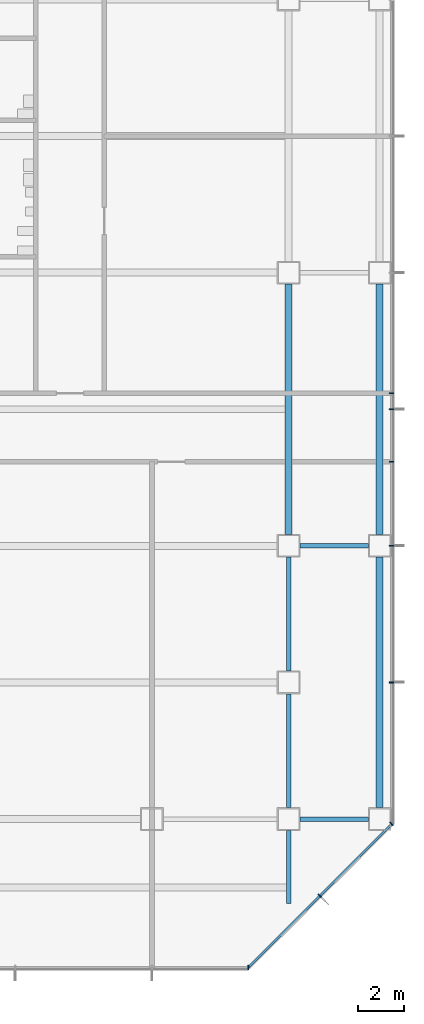
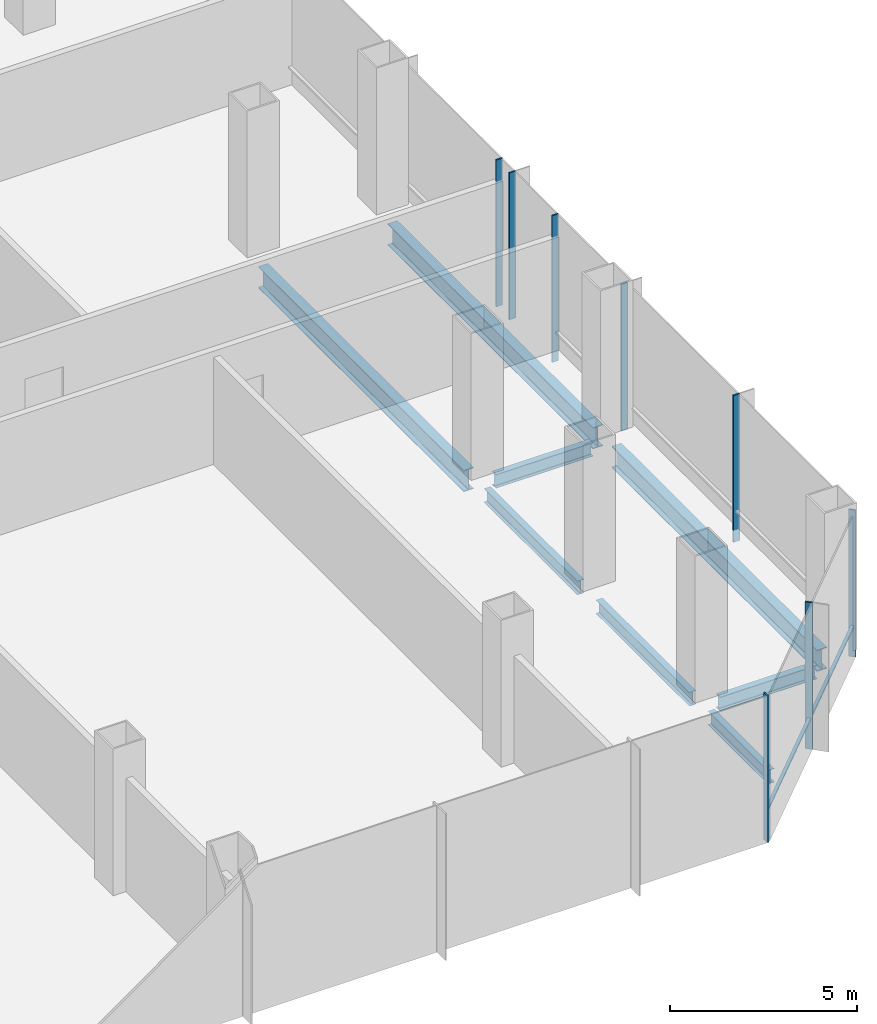
# One storey, part 17 of 33: 9 members, 8 beams, 3 elements without a shape of their own.
"""IFC4 building model written with IfcOpenShell, lengths in metres."""

from ifc_helpers import new_model, si_unit, direction, frame, origin, origin_2d, place, context, subcontext, project, spatial, rectangle, i_section, extrude, material, material_profile, profile_set, type_object, element, aggregate, save


model = new_model("IFC4")

# Units and contexts
model_context = context("Model", 3, precision=1e-05, world=origin(), true_north=direction((0.0, 1.0)))
body_context = subcontext(model_context, "Body", "Model", "MODEL_VIEW")
ifc_project = project(units=[si_unit("LENGTHUNIT", "METRE"), si_unit("AREAUNIT", "SQUARE_METRE"), si_unit("VOLUMEUNIT", "CUBIC_METRE"), si_unit("PLANEANGLEUNIT", "RADIAN"), si_unit("MASSUNIT", "GRAM", prefix="KILO")], contexts=[model_context])

# Site, building, storey
site_placement = place(None, origin())
site = spatial("IfcSite", under=ifc_project, at=site_placement, CompositionType="ELEMENT")
building_placement = place(site_placement, origin())
building = spatial("IfcBuilding", under=site, at=building_placement, Name="Sorahane Residences", CompositionType="ELEMENT")
storey_placement = place(building_placement, frame((0.0, 0.0, 34.800048828125)))
storey = spatial("IfcBuildingStorey", under=building, at=storey_placement, Name="L05", CompositionType="ELEMENT", Elevation=34.800048828125)

# Curtain wall, member
ifc_material_1 = material(Name="Dark low-e glass and black anodised aluminium", Category="aluminium")
curtain_wall_type = type_object("IfcCurtainWallType", Name="Curtain wall CW-3 Podium unitised wall", PredefinedType="NOTDEFINED", material=ifc_material_1)
curtain_wall_1_placement = place(storey_placement, origin())
curtain_wall_1 = element("IfcCurtainWall", 1, at=curtain_wall_1_placement, inside=storey, type_object=curtain_wall_type, Name="CW-3 curtain wall L05 S1", PredefinedType="NOTDEFINED")
ifc_material_2 = material(Name="Black anodised aluminium", Category="aluminium")
ifc_material_profile_1 = material_profile(ifc_material_2, rectangle(XDim=0.199951171875, YDim=0.050048828125, at=origin_2d()), Name="Curtain wall mullion CW-3 black anodised aluminium 50x200")
ifc_profile_set_1 = profile_set([ifc_material_profile_1], Name="Black anodised aluminium")
member_type_1 = type_object("IfcMemberType", Name="Curtain wall mullion CW-3 black anodised aluminium 50x200", PredefinedType="MULLION", material=ifc_profile_set_1)
member_1_placement = place(storey_placement, frame((64.2236328125, -6.52001953125, -0.400146484375), z_axis=(0.0, 0.0, 1.0), x_axis=(0.0, -1.0, 0.0)))
member_1 = element("IfcMember", 2, at=member_1_placement, type_object=member_type_1, Name="CW-3 mullion L05 S1.11", PredefinedType="MULLION", context=body_context, shape_type="SweptSolid", body=[
    extrude(rectangle(XDim=0.199951171875, YDim=0.050048828125, at=origin_2d()), origin(), (0.0, 0.0, 1.0), 4.800048828125),
])
aggregate(curtain_wall_1, [member_1])

# Curtain wall, members
curtain_wall_2_placement = place(storey_placement, origin())
curtain_wall_2 = element("IfcCurtainWall", 3, at=curtain_wall_2_placement, inside=storey, type_object=curtain_wall_type, Name="CW-3 curtain wall L05 SE1", PredefinedType="NOTDEFINED")
member_2_placement = place(storey_placement, frame((67.36767578125, -3.36767578125, -0.400146484375), z_axis=(0.0, 0.0, 1.0), x_axis=(0.707106781187, -0.707106781187, 0.0)))
member_2 = element("IfcMember", 4, at=member_2_placement, type_object=member_type_1, Name="CW-3 mullion L05 SE1.2", PredefinedType="MULLION", context=body_context, shape_type="SweptSolid", body=[
    extrude(rectangle(XDim=0.199951171875, YDim=0.050048828125, at=origin_2d()), origin(), (0.0, 0.0, 1.0), 4.800048828125),
])
member_3_placement = place(storey_placement, frame((70.525634765625, -0.209716796875, -0.400146484375), z_axis=(0.0, 0.0, 1.0), x_axis=(0.707106781187, -0.707106781187, 0.0)))
member_3 = element("IfcMember", 5, at=member_3_placement, type_object=member_type_1, Name="CW-3 mullion L05 SE1.3", PredefinedType="MULLION", context=body_context, shape_type="SweptSolid", body=[
    extrude(rectangle(XDim=0.199951171875, YDim=0.050048828125, at=origin_2d()), origin(), (0.0, 0.0, 1.0), 4.800048828125),
])

curtain_wall_3_placement = place(storey_placement, origin())
curtain_wall_3 = element("IfcCurtainWall", 6, at=curtain_wall_3_placement, inside=storey, type_object=curtain_wall_type, Name="CW-3 curtain wall L05 E1", PredefinedType="NOTDEFINED")
member_4_placement = place(storey_placement, frame((70.52001953125, 6.0, -0.400146484375), z_axis=(0.0, 0.0, 1.0), x_axis=(1.0, 0.0, 0.0)))
member_4 = element("IfcMember", 7, at=member_4_placement, type_object=member_type_1, Name="CW-3 mullion L05 E1.2", PredefinedType="MULLION", context=body_context, shape_type="SweptSolid", body=[
    extrude(rectangle(XDim=0.199951171875, YDim=0.050048828125, at=origin_2d()), origin(), (0.0, 0.0, 1.0), 4.800048828125),
])
member_5_placement = place(storey_placement, frame((70.52001953125, 12.0, -0.400146484375), z_axis=(0.0, 0.0, 1.0), x_axis=(1.0, 0.0, 0.0)))
member_5 = element("IfcMember", 8, at=member_5_placement, type_object=member_type_1, Name="CW-3 mullion L05 E1.3", PredefinedType="MULLION", context=body_context, shape_type="SweptSolid", body=[
    extrude(rectangle(XDim=0.199951171875, YDim=0.050048828125, at=origin_2d()), origin(), (0.0, 0.0, 1.0), 4.800048828125),
])
member_6_placement = place(storey_placement, frame((70.52001953125, 15.699951171875, -0.400146484375), z_axis=(0.0, 0.0, 1.0), x_axis=(1.0, 0.0, 0.0)))
member_6 = element("IfcMember", 9, at=member_6_placement, type_object=member_type_1, Name="CW-3 mullion L05 E1.4", PredefinedType="MULLION", context=body_context, shape_type="SweptSolid", body=[
    extrude(rectangle(XDim=0.199951171875, YDim=0.050048828125, at=origin_2d()), origin(), (0.0, 0.0, 1.0), 4.800048828125),
])
member_7_placement = place(storey_placement, frame((70.52001953125, 18.0, -0.400146484375), z_axis=(0.0, 0.0, 1.0), x_axis=(1.0, 0.0, 0.0)))
member_7 = element("IfcMember", 10, at=member_7_placement, type_object=member_type_1, Name="CW-3 mullion L05 E1.5", PredefinedType="MULLION", context=body_context, shape_type="SweptSolid", body=[
    extrude(rectangle(XDim=0.199951171875, YDim=0.050048828125, at=origin_2d()), origin(), (0.0, 0.0, 1.0), 4.800048828125),
])
member_8_placement = place(storey_placement, frame((70.52001953125, 18.699951171875, -0.400146484375), z_axis=(0.0, 0.0, 1.0), x_axis=(1.0, 0.0, 0.0)))
member_8 = element("IfcMember", 11, at=member_8_placement, type_object=member_type_1, Name="CW-3 mullion L05 E1.6", PredefinedType="MULLION", context=body_context, shape_type="SweptSolid", body=[
    extrude(rectangle(XDim=0.199951171875, YDim=0.050048828125, at=origin_2d()), origin(), (0.0, 0.0, 1.0), 4.800048828125),
])
aggregate(curtain_wall_3, [member_4, member_5, member_6, member_7, member_8])

# Member
ifc_material_3 = material(Name="Black anodised aluminium", Category="aluminium")
ifc_material_profile_2 = material_profile(ifc_material_3, rectangle(XDim=0.10009765625, YDim=0.06005859375, at=origin_2d()), Name="Curtain wall transom CW-3 black anodised aluminium 60x100")
ifc_profile_set_2 = profile_set([ifc_material_profile_2], Name="Black anodised aluminium")
member_type_2 = type_object("IfcMemberType", Name="Curtain wall transom CW-3 black anodised aluminium 60x100", PredefinedType="USERDEFINED", material=ifc_profile_set_2)
member_9_placement = place(storey_placement, frame((64.234375, -6.51513671875, 0.599853515625), z_axis=(0.707106781187, 0.707106781187, 0.0), x_axis=(-0.707106781187, 0.707106781187, 0.0)))
member_9 = element("IfcMember", 12, at=member_9_placement, type_object=member_type_2, Name="CW-3 transom L05 SE1", ObjectType="TRANSOM", PredefinedType="USERDEFINED", context=body_context, shape_type="SweptSolid", body=[
    extrude(rectangle(XDim=0.10009765625, YDim=0.06005859375, at=origin_2d()), origin(), (0.0, 0.0, 1.0), 8.88232421875),
])

aggregate(curtain_wall_2, [member_2, member_3, member_9])

# Beams
ifc_material_4 = material(Name="Steel Q355B", Category="steel")
ifc_material_profile_3 = material_profile(ifc_material_4, i_section(OverallWidth=0.199951171875, OverallDepth=0.449951171875, WebThickness=0.009033203125, FlangeThickness=0.013916015625, FilletRadius=0.02001953125, at=origin_2d()), Name="HN 450x200x9x14")
ifc_profile_set_3 = profile_set([ifc_material_profile_3], Name="Steel Q355B")
beam_type_1 = type_object("IfcBeamType", Name="Steel floor beam HN 450x200x9x14 Q355B", PredefinedType="BEAM", material=ifc_profile_set_3)
for number, where, z_axis, x_axis, name in (
    (13, (66.5, 0.0, -0.625), (1.0, 0.0, 0.0), (0.0, 1.0, 0.0), "Beam L05 007"),
    (14, (66.5, 12.0, -0.625), (1.0, 0.0, 0.0), (0.0, 1.0, 0.0), "Beam L05 013"),
):
    element("IfcBeam", number, at=place(storey_placement, frame(where, z_axis=z_axis, x_axis=x_axis)), inside=storey, type_object=beam_type_1, Name=name, PredefinedType="BEAM", context=body_context, shape_type="SweptSolid", body=[
        extrude(i_section(OverallWidth=0.199951171875, OverallDepth=0.449951171875, WebThickness=0.009033203125, FlangeThickness=0.013916015625, FilletRadius=0.02001953125, at=origin_2d()), origin(), (0.0, 0.0, 1.0), 3.0),
    ])
for number, where, z_axis, x_axis, name in (
    (15, (66.0, 0.5, -0.625), (0.0, 1.0, 0.0), (-1.0, 0.0, 0.0), "Beam L05 070"),
    (16, (66.0, 6.5, -0.625), (0.0, 1.0, 0.0), (-1.0, 0.0, 0.0), "Beam L05 071"),
):
    element("IfcBeam", number, at=place(storey_placement, frame(where, z_axis=z_axis, x_axis=x_axis)), inside=storey, type_object=beam_type_1, Name=name, PredefinedType="BEAM", context=body_context, shape_type="SweptSolid", body=[
        extrude(i_section(OverallWidth=0.199951171875, OverallDepth=0.449951171875, WebThickness=0.009033203125, FlangeThickness=0.013916015625, FilletRadius=0.02001953125, at=origin_2d()), origin(), (0.0, 0.0, 1.0), 5.0),
    ])
beam_placement = place(storey_placement, frame((66.0, -3.699951171875, -0.625), z_axis=(0.0, 1.0, 0.0), x_axis=(-1.0, 0.0, 0.0)))
element("IfcBeam", 17, at=beam_placement, inside=storey, type_object=beam_type_1, Name="Beam L05 087", PredefinedType="BEAM", context=body_context, shape_type="SweptSolid", body=[
    extrude(i_section(OverallWidth=0.199951171875, OverallDepth=0.449951171875, WebThickness=0.009033203125, FlangeThickness=0.013916015625, FilletRadius=0.02001953125, at=origin_2d()), origin(), (0.0, 0.0, 1.0), 3.19970703125),
])
ifc_material_5 = material(Name="Steel Q355B", Category="steel")
ifc_material_profile_4 = material_profile(ifc_material_5, i_section(OverallWidth=0.300048828125, OverallDepth=0.699951171875, WebThickness=0.012939453125, FlangeThickness=0.02392578125, FilletRadius=0.028076171875, at=origin_2d()), Name="HN 700x300x13x24")
ifc_profile_set_4 = profile_set([ifc_material_profile_4], Name="Steel Q355B")
beam_type_2 = type_object("IfcBeamType", Name="Steel floor beam HN 700x300x13x24 Q355B", PredefinedType="BEAM", material=ifc_profile_set_4)
for number, where, z_axis, x_axis, name in (
    (18, (66.0, 12.5, -0.75), (0.0, 1.0, 0.0), (-1.0, 0.0, 0.0), "Beam L05 072"),
    (19, (70.0, 0.5, -0.75), (0.0, 1.0, 0.0), (-1.0, 0.0, 0.0), "Beam L05 076"),
    (20, (70.0, 12.5, -0.75), (0.0, 1.0, 0.0), (-1.0, 0.0, 0.0), "Beam L05 077"),
):
    element("IfcBeam", number, at=place(storey_placement, frame(where, z_axis=z_axis, x_axis=x_axis)), inside=storey, type_object=beam_type_2, Name=name, PredefinedType="BEAM", context=body_context, shape_type="SweptSolid", body=[
        extrude(i_section(OverallWidth=0.300048828125, OverallDepth=0.699951171875, WebThickness=0.012939453125, FlangeThickness=0.02392578125, FilletRadius=0.028076171875, at=origin_2d()), origin(), (0.0, 0.0, 1.0), 11.0),
    ])

save(model, "model.ifc")
